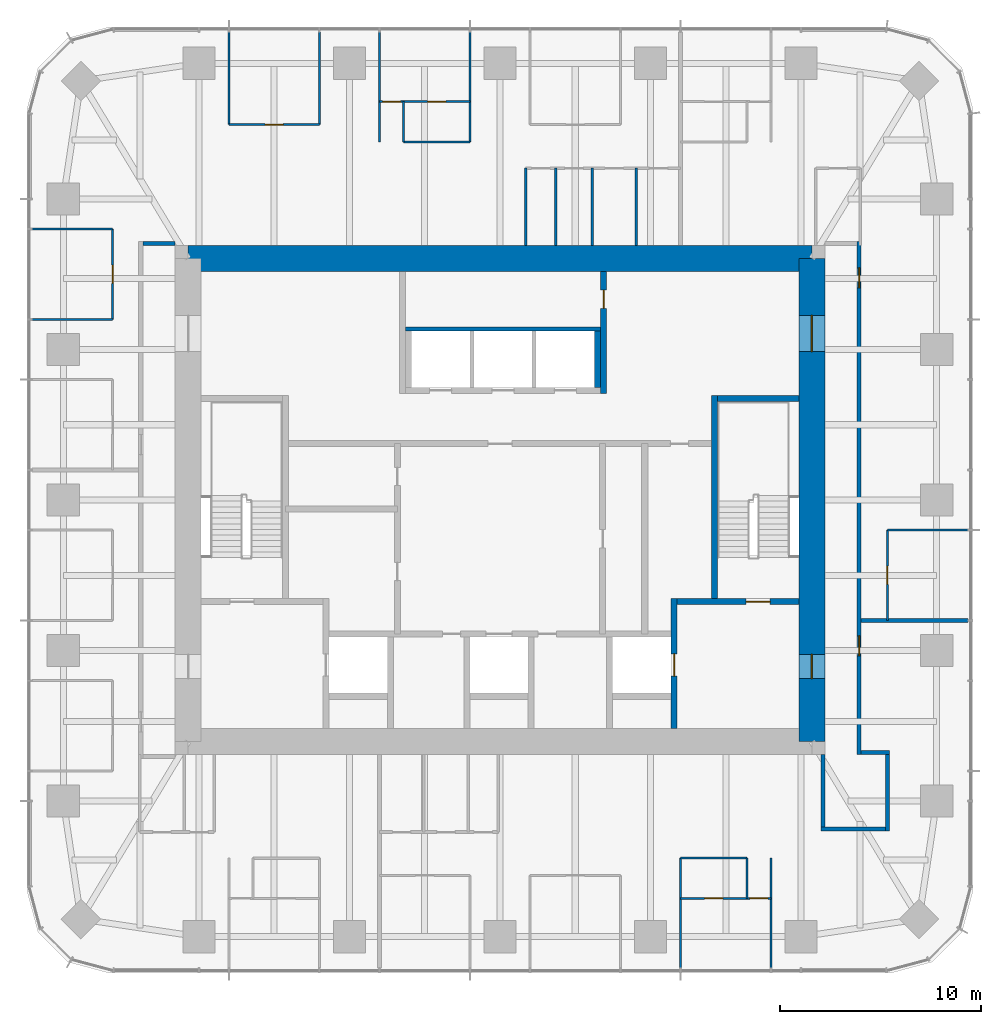
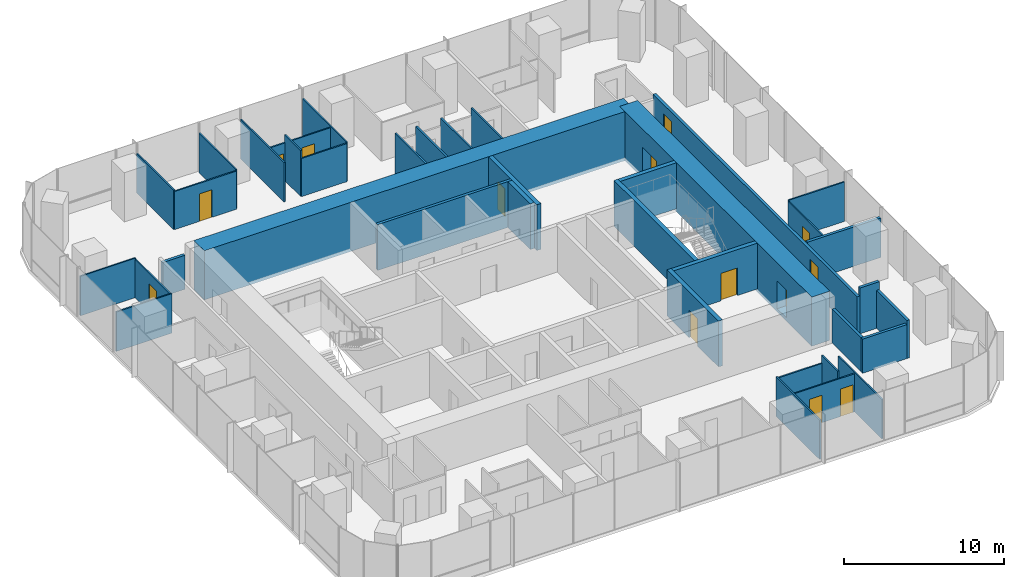
# One storey, part 10 of 12: 38 walls, 14 doors, 14 openings.
"""IFC4 building model written with IfcOpenShell, lengths in metres."""

from ifc_helpers import new_model, si_unit, direction, frame, frame_2d, origin, place, context, subcontext, project, spatial, rectangle, extrude, material, layer, layer_set, type_object, element, fill, save


model = new_model("IFC4")

# Units and contexts
model_context = context("Model", 3, precision=1e-05, world=origin(), true_north=direction((0.0, 1.0)))
body_context = subcontext(model_context, "Body", "Model", "MODEL_VIEW")
ifc_project = project(units=[si_unit("LENGTHUNIT", "METRE"), si_unit("AREAUNIT", "SQUARE_METRE"), si_unit("VOLUMEUNIT", "CUBIC_METRE"), si_unit("PLANEANGLEUNIT", "RADIAN"), si_unit("MASSUNIT", "GRAM", prefix="KILO")], contexts=[model_context])

# Site, building, storey
site_placement = place(None, origin())
site = spatial("IfcSite", under=ifc_project, at=site_placement, CompositionType="ELEMENT")
building_placement = place(site_placement, origin())
building = spatial("IfcBuilding", under=site, at=building_placement, Name="Khuree Lantern Residences", CompositionType="ELEMENT")
storey_placement = place(building_placement, frame((0.0, 0.0, 315.75)))
storey = spatial("IfcBuildingStorey", under=building, at=storey_placement, Name="L79", CompositionType="ELEMENT", Elevation=315.75)

# Walls
ifc_material_1 = material(Name="Moisture-resistant gypsum board on steel studs", Category="steel")
ifc_layer_1 = layer(ifc_material_1, 0.125)
ifc_layer_set_1 = layer_set([ifc_layer_1], Name="BATHROOM WALL BTW125")
wall_type_1 = type_object("IfcWallType", Name="BATHROOM WALL BTW125", PredefinedType="PARTITIONING", material=ifc_layer_set_1)
for number, where, z_axis, x_axis, name in (
    (1, (6.77587890625, 12.64990234375, 0.0), (0.0, 0.0, 1.0), (0.0, 1.0, 0.0), "L79 BATHROOM WALL 02"),
    (2, (4.575927734375, 12.64990234375, 0.0), (0.0, 0.0, 1.0), (0.0, 1.0, 0.0), "L79 BATHROOM WALL 02"),
    (3, (2.77587890625, 12.64990234375, 0.0), (0.0, 0.0, 1.0), (0.0, 1.0, 0.0), "L79 BATHROOM WALL 02"),
    (4, (1.27587890625, 12.64990234375, 0.0), (0.0, 0.0, 1.0), (0.0, 1.0, 0.0), "L79 BATHROOM WALL 02"),
):
    element("IfcWall", number, at=place(storey_placement, frame(where, z_axis=z_axis, x_axis=x_axis)), inside=storey, type_object=wall_type_1, Name=name, PredefinedType="PARTITIONING", context=body_context, shape_type="SweptSolid", body=[
        extrude(rectangle(XDim=3.846435546875, YDim=0.125, at=frame_2d((1.92333984375, 0.0))), origin(), (0.0, 0.0, 1.0), 3.5),
    ])

# Wall, opening, door
ifc_material_2 = material(Name="Dense concrete blockwork", Category="masonry")
ifc_layer_2 = layer(ifc_material_2, 0.300048828125)
ifc_layer_set_2 = layer_set([ifc_layer_2], Name="CORE PARTITION WALL CPW300 EI 120")
wall_type_2 = type_object("IfcWallType", Name="CORE PARTITION WALL CPW300 EI 120", PredefinedType="PARTITIONING", material=ifc_layer_set_2)
wall_1_placement = place(storey_placement, frame((8.64990234375, -11.35009765625, 0.0), z_axis=(0.0, 0.0, 1.0), x_axis=(0.0, 1.0, 0.0)))
wall_1 = element("IfcWall", 5, at=wall_1_placement, inside=storey, type_object=wall_type_2, Name="L79 CORE WALL FL2E", PredefinedType="PARTITIONING", context=body_context, shape_type="SweptSolid", body=[
    extrude(rectangle(XDim=6.4501953125, YDim=0.300048828125, at=frame_2d((3.22509765625, 0.0))), origin(), (0.0, 0.0, 1.0), 3.5),
])
opening_1_placement = place(wall_1_placement, frame((2.60009765625, 0.0, 0.0)))
opening_1 = element("IfcOpeningElement", 6, at=opening_1_placement, cuts=wall_1, Name="Opening 79-008", PredefinedType="OPENING", context=body_context, shape_type="SweptSolid", body=[
    extrude(rectangle(XDim=1.10009765625, YDim=2.10009765625, at=frame_2d((0.550048828125, 1.050048828125))), frame((0.0, 0.16015625, 0.0), z_axis=(0.0, -1.0, 0.0), x_axis=(1.0, 0.0, 0.0)), (0.0, 0.0, 1.0), 0.320068359375),
])
ifc_material_3 = material(Name="Stainless steel lift landing door", Category="steel")
door_type_1 = type_object("IfcDoorType", Name="LIFT LANDING DOOR 1100X2100 E 120", OperationType="DOUBLE_DOOR_SLIDING", PredefinedType="DOOR", material=ifc_material_3)
door_1_placement = place(opening_1_placement, origin())
door_1 = element("IfcDoor", 7, at=door_1_placement, inside=storey, type_object=door_type_1, Name="Landing door FL2 79-008", OperationType="DOUBLE_DOOR_SLIDING", OverallHeight=2.10009765625, OverallWidth=1.10009765625, PredefinedType="DOOR", context=body_context, shape_type="SweptSolid", body=[
    extrude(rectangle(XDim=1.10009765625, YDim=2.10009765625, at=frame_2d((0.550048828125, 1.050048828125))), frame((0.0, 0.02490234375, 0.0), z_axis=(0.0, -1.0, 0.0), x_axis=(1.0, 0.0, 0.0)), (0.0, 0.0, 1.0), 0.050048828125),
])
fill(opening_1, door_1)

# Wall
wall_2_placement = place(storey_placement, frame((4.85009765625, 5.60009765625, 0.0), z_axis=(0.0, 0.0, 1.0), x_axis=(0.0, 1.0, 0.0)))
element("IfcWall", 8, at=wall_2_placement, inside=storey, type_object=wall_type_2, Name="L79 CORE WALL PHE", PredefinedType="PARTITIONING", context=body_context, shape_type="SweptSolid", body=[
    extrude(rectangle(XDim=2.7998046875, YDim=0.300048828125, at=frame_2d((1.39990234375, 0.0))), origin(), (0.0, 0.0, 1.0), 3.5),
])

# Wall, opening, door
wall_3_placement = place(storey_placement, frame((5.14990234375, 5.300048828125, 0.0), z_axis=(0.0, 0.0, 1.0), x_axis=(0.0, 1.0, 0.0)))
wall_3 = element("IfcWall", 9, at=wall_3_placement, inside=storey, type_object=wall_type_2, Name="L79 CORE WALL NE", PredefinedType="PARTITIONING", context=body_context, shape_type="SweptSolid", body=[
    extrude(rectangle(XDim=6.050048828125, YDim=0.300048828125, at=frame_2d((3.02490234375, 0.0))), origin(), (0.0, 0.0, 1.0), 3.5),
])
opening_2_placement = place(wall_3_placement, frame((4.22509765625, 0.0, 0.0)))
opening_2 = element("IfcOpeningElement", 10, at=opening_2_placement, cuts=wall_3, Name="Opening 79-020", PredefinedType="OPENING", context=body_context, shape_type="SweptSolid", body=[
    extrude(rectangle(XDim=0.89990234375, YDim=2.10009765625, at=frame_2d((0.449951171875, 1.050048828125))), frame((0.0, 0.16015625, 0.0), z_axis=(0.0, -1.0, 0.0), x_axis=(1.0, 0.0, 0.0)), (0.0, 0.0, 1.0), 0.320068359375),
])
ifc_material_4 = material(Name="Timber door leaf in hardwood frame", Category="wood")
door_type_2 = type_object("IfcDoorType", Name="DOOR 900X2100", OperationType="SINGLE_SWING_LEFT", PredefinedType="DOOR", material=ifc_material_4)
door_2_placement = place(opening_2_placement, origin())
door_2 = element("IfcDoor", 11, at=door_2_placement, inside=storey, type_object=door_type_2, Name="Residents' store door 79-020", OperationType="SINGLE_SWING_LEFT", OverallHeight=2.10009765625, OverallWidth=0.89990234375, PredefinedType="DOOR", context=body_context, shape_type="SweptSolid", body=[
    extrude(rectangle(XDim=0.89990234375, YDim=2.10009765625, at=frame_2d((0.449951171875, 1.050048828125))), frame((0.0, 0.02490234375, 0.0), z_axis=(0.0, -1.0, 0.0), x_axis=(1.0, 0.0, 0.0)), (0.0, 0.0, 1.0), 0.050048828125),
])
fill(opening_2, door_2)

# Walls
ifc_material_5 = material(Name="Gypsum board on steel studs", Category="steel")
ifc_layer_3 = layer(ifc_material_5, 0.199951171875)
ifc_layer_set_3 = layer_set([ifc_layer_3], Name="CORRIDOR WALL CRW200 EI 60")
wall_type_3 = type_object("IfcWallType", Name="CORRIDOR WALL CRW200 EI 60", PredefinedType="PARTITIONING", material=ifc_layer_set_3)
wall_4_placement = place(storey_placement, frame((17.949951171875, -12.550048828125, 0.0), z_axis=(0.0, 0.0, 1.0), x_axis=(1.0, 0.0, 0.0)))
element("IfcWall", 12, at=wall_4_placement, inside=storey, type_object=wall_type_3, Name="L79 RESIDENTS LOUNGE WALL", PredefinedType="PARTITIONING", context=body_context, shape_type="SweptSolid", body=[
    extrude(rectangle(XDim=1.400146484375, YDim=0.199951171875, at=frame_2d((0.7001953125, 0.0))), origin(), (0.0, 0.0, 1.0), 3.5),
])
wall_5_placement = place(storey_placement, frame((19.25, -12.449951171875, 0.0), z_axis=(0.0, 0.0, 1.0), x_axis=(0.0, -1.0, 0.0)))
element("IfcWall", 13, at=wall_5_placement, inside=storey, type_object=wall_type_3, Name="L79 RESIDENTS LOUNGE WALL", PredefinedType="PARTITIONING", context=body_context, shape_type="SweptSolid", body=[
    extrude(rectangle(XDim=4.0, YDim=0.199951171875, at=frame_2d((2.0, 0.0))), origin(), (0.0, 0.0, 1.0), 2.89990234375),
])
wall_6_placement = place(storey_placement, frame((19.14990234375, -16.35009765625, 0.0), z_axis=(0.0, 0.0, 1.0), x_axis=(-1.0, 0.0, 0.0)))
element("IfcWall", 14, at=wall_6_placement, inside=storey, type_object=wall_type_3, Name="L79 RESIDENTS LOUNGE WALL", PredefinedType="PARTITIONING", context=body_context, shape_type="SweptSolid", body=[
    extrude(rectangle(XDim=3.199951171875, YDim=0.199951171875, at=frame_2d((1.60009765625, 0.0))), origin(), (0.0, 0.0, 1.0), 2.60009765625),
])
wall_7_placement = place(storey_placement, frame((16.050048828125, -16.449951171875, 0.0), z_axis=(0.0, 0.0, 1.0), x_axis=(0.0, 1.0, 0.0)))
element("IfcWall", 15, at=wall_7_placement, inside=storey, type_object=wall_type_3, Name="L79 RESIDENTS LOUNGE WALL", PredefinedType="PARTITIONING", context=body_context, shape_type="SweptSolid", body=[
    extrude(rectangle(XDim=3.800048828125, YDim=0.199951171875, at=frame_2d((1.89990234375, 0.0))), origin(), (0.0, 0.0, 1.0), 2.60009765625),
])
wall_8_placement = place(storey_placement, frame((-16.14990234375, 12.75, 0.0), z_axis=(0.0, 0.0, 1.0), x_axis=(-1.0, 0.0, 0.0)))
element("IfcWall", 16, at=wall_8_placement, inside=storey, type_object=wall_type_3, Name="L79 WEST CORRIDOR NORTH END WALL", PredefinedType="PARTITIONING", context=body_context, shape_type="SweptSolid", body=[
    extrude(rectangle(XDim=1.60009765625, YDim=0.199951171875, at=frame_2d((0.800048828125, 0.0))), origin(), (0.0, 0.0, 1.0), 2.60009765625),
])

# Wall, openings, doors
wall_9_placement = place(storey_placement, frame((17.85009765625, -12.64990234375, 0.0), z_axis=(0.0, 0.0, 1.0), x_axis=(0.0, 1.0, 0.0)))
wall_9 = element("IfcWall", 17, at=wall_9_placement, inside=storey, type_object=wall_type_3, Name="L79 CORRIDOR WALL EAST 1", PredefinedType="PARTITIONING", context=body_context, shape_type="SweptSolid", body=[
    extrude(rectangle(XDim=25.5, YDim=0.199951171875, at=frame_2d((12.75, 0.0))), origin(), (0.0, 0.0, 1.0), 2.89990234375),
])
opening_3_placement = place(wall_9_placement, frame((23.18603515625, 0.0, 0.0)))
opening_3 = element("IfcOpeningElement", 18, at=opening_3_placement, cuts=wall_9, Name="Opening 79-025", PredefinedType="OPENING", context=body_context, shape_type="SweptSolid", body=[
    extrude(rectangle(XDim=1.0, YDim=2.199951171875, at=frame_2d((0.5, 1.10009765625))), frame((0.0, 0.10986328125, 0.0), z_axis=(0.0, -1.0, 0.0), x_axis=(1.0, 0.0, 0.0)), (0.0, 0.0, 1.0), 0.219970703125),
])
opening_4_placement = place(wall_9_placement, frame((4.89990234375, 0.0, 0.0)))
opening_4 = element("IfcOpeningElement", 19, at=opening_4_placement, cuts=wall_9, Name="Opening 79-051", PredefinedType="OPENING", context=body_context, shape_type="SweptSolid", body=[
    extrude(rectangle(XDim=1.0, YDim=2.199951171875, at=frame_2d((0.5, 1.10009765625))), frame((0.0, 0.10986328125, 0.0), z_axis=(0.0, -1.0, 0.0), x_axis=(1.0, 0.0, 0.0)), (0.0, 0.0, 1.0), 0.219970703125),
])
door_type_3 = type_object("IfcDoorType", Name="APARTMENT ENTRANCE DOOR 1000X2200 EI 30S", OperationType="SINGLE_SWING_LEFT", PredefinedType="DOOR", material=ifc_material_4)
door_3_placement = place(opening_4_placement, origin())
door_3 = element("IfcDoor", 20, at=door_3_placement, inside=storey, type_object=door_type_3, Name="Apartment 04 entrance door 79-051", OperationType="SINGLE_SWING_LEFT", OverallHeight=2.199951171875, OverallWidth=1.0, PredefinedType="DOOR", context=body_context, shape_type="SweptSolid", body=[
    extrude(rectangle(XDim=1.0, YDim=2.199951171875, at=frame_2d((0.5, 1.10009765625))), frame((0.0, 0.02490234375, 0.0), z_axis=(0.0, -1.0, 0.0), x_axis=(1.0, 0.0, 0.0)), (0.0, 0.0, 1.0), 0.050048828125),
])
fill(opening_4, door_3)
door_type_4 = type_object("IfcDoorType", Name="APARTMENT ENTRANCE DOOR 1000X2200 EI 30S RIGHT HAND", OperationType="SINGLE_SWING_RIGHT", PredefinedType="DOOR", material=ifc_material_4)
door_4_placement = place(opening_3_placement, origin())
door_4 = element("IfcDoor", 21, at=door_4_placement, inside=storey, type_object=door_type_4, Name="Apartment 01 entrance door 79-025", OperationType="SINGLE_SWING_RIGHT", OverallHeight=2.199951171875, OverallWidth=1.0, PredefinedType="DOOR", context=body_context, shape_type="SweptSolid", body=[
    extrude(rectangle(XDim=1.0, YDim=2.199951171875, at=frame_2d((0.5, 1.10009765625))), frame((0.0, 0.02490234375, 0.0), z_axis=(0.0, -1.0, 0.0), x_axis=(1.0, 0.0, 0.0)), (0.0, 0.0, 1.0), 0.050048828125),
])
fill(opening_3, door_4)

ifc_material_6 = material(Name="Concrete C50/60", Category="concrete")
ifc_layer_4 = layer(ifc_material_6, 1.300048828125)
ifc_layer_set_4 = layer_set([ifc_layer_4], Name="CW1300-C50 CORE WALL C50 1300")
wall_type_4 = type_object("IfcWallType", Name="CW1300-C50 CORE WALL C50 1300", PredefinedType="SHEAR", material=ifc_layer_set_4)
wall_10_placement = place(storey_placement, frame((15.5, -12.0, -0.25), z_axis=(0.0, 0.0, 1.0), x_axis=(0.0, 1.0, 0.0)))
wall_10 = element("IfcWall", 22, at=wall_10_placement, inside=storey, type_object=wall_type_4, Name="Core wall E", PredefinedType="SHEAR", context=body_context, shape_type="SweptSolid", body=[
    extrude(rectangle(XDim=24.0, YDim=1.300048828125, at=frame_2d((12.0, 0.0))), origin(), (0.0, 0.0, 1.0), 3.75),
])
opening_5_placement = place(wall_10_placement, frame((3.125, 0.0, 0.25)))
opening_5 = element("IfcOpeningElement", 23, at=opening_5_placement, cuts=wall_10, Name="Opening 79-005", PredefinedType="OPENING", context=body_context, shape_type="SweptSolid", body=[
    extrude(rectangle(XDim=1.199951171875, YDim=2.10009765625, at=frame_2d((0.60009765625, 1.050048828125))), frame((0.0, 0.66015625, 0.0), z_axis=(0.0, -1.0, 0.0), x_axis=(1.0, 0.0, 0.0)), (0.0, 0.0, 1.0), 1.320068359375),
])
opening_6_placement = place(wall_10_placement, frame((19.375, 0.0, 0.25)))
opening_6 = element("IfcOpeningElement", 24, at=opening_6_placement, cuts=wall_10, Name="Opening 79-006", PredefinedType="OPENING", context=body_context, shape_type="SweptSolid", body=[
    extrude(rectangle(XDim=1.800048828125, YDim=2.10009765625, at=frame_2d((0.89990234375, 1.050048828125))), frame((0.0, 0.66015625, 0.0), z_axis=(0.0, -1.0, 0.0), x_axis=(1.0, 0.0, 0.0)), (0.0, 0.0, 1.0), 1.320068359375),
])
ifc_material_7 = material(Name="Steel door leaf in steel frame", Category="steel")
door_type_5 = type_object("IfcDoorType", Name="LOBBY DOOR 1200X2100 EI 120", OperationType="SINGLE_SWING_LEFT", PredefinedType="DOOR", material=ifc_material_7)
door_5_placement = place(opening_5_placement, origin())
door_5 = element("IfcDoor", 25, at=door_5_placement, inside=storey, type_object=door_type_5, Name="Firefighting lobby door 79-005", OperationType="SINGLE_SWING_LEFT", OverallHeight=2.10009765625, OverallWidth=1.199951171875, PredefinedType="DOOR", context=body_context, shape_type="SweptSolid", body=[
    extrude(rectangle(XDim=1.199951171875, YDim=2.10009765625, at=frame_2d((0.60009765625, 1.050048828125))), frame((0.0, 0.02490234375, 0.0), z_axis=(0.0, -1.0, 0.0), x_axis=(1.0, 0.0, 0.0)), (0.0, 0.0, 1.0), 0.050048828125),
])
fill(opening_5, door_5)
door_type_6 = type_object("IfcDoorType", Name="LOBBY DOUBLE DOOR 1800X2100 EI 60", OperationType="DOUBLE_DOOR_SINGLE_SWING", PredefinedType="DOOR", material=ifc_material_7)
door_6_placement = place(opening_6_placement, origin())
door_6 = element("IfcDoor", 26, at=door_6_placement, inside=storey, type_object=door_type_6, Name="Lift lobby door 79-006", OperationType="DOUBLE_DOOR_SINGLE_SWING", OverallHeight=2.10009765625, OverallWidth=1.800048828125, PredefinedType="DOOR", context=body_context, shape_type="SweptSolid", body=[
    extrude(rectangle(XDim=1.800048828125, YDim=2.10009765625, at=frame_2d((0.89990234375, 1.050048828125))), frame((0.0, 0.02490234375, 0.0), z_axis=(0.0, -1.0, 0.0), x_axis=(1.0, 0.0, 0.0)), (0.0, 0.0, 1.0), 0.050048828125),
])
fill(opening_6, door_6)

# Walls
wall_11_placement = place(storey_placement, frame((-15.5, 12.0, -0.25), z_axis=(0.0, 0.0, 1.0), x_axis=(1.0, 0.0, 0.0)))
element("IfcWall", 27, at=wall_11_placement, inside=storey, type_object=wall_type_4, Name="Core wall N", PredefinedType="SHEAR", context=body_context, shape_type="SweptSolid", body=[
    extrude(rectangle(XDim=31.0, YDim=1.300048828125, at=frame_2d((15.5, 0.0))), origin(), (0.0, 0.0, 1.0), 3.75),
])
ifc_layer_5 = layer(ifc_material_5, 0.199951171875)
ifc_layer_set_5 = layer_set([ifc_layer_5], Name="DEMISING WALL DMW200 EI 90")
wall_type_5 = type_object("IfcWallType", Name="DEMISING WALL DMW200 EI 90", PredefinedType="PARTITIONING", material=ifc_layer_set_5)
wall_12_placement = place(storey_placement, frame((17.949951171875, -5.98388671875, 0.0), z_axis=(0.0, 0.0, 1.0), x_axis=(1.0, 0.0, 0.0)))
element("IfcWall", 28, at=wall_12_placement, inside=storey, type_object=wall_type_5, Name="L79 DEMISING WALL 01", PredefinedType="PARTITIONING", context=body_context, shape_type="SweptSolid", body=[
    extrude(rectangle(XDim=5.300048828125, YDim=0.199951171875, at=frame_2d((2.64990234375, 0.0))), origin(), (0.0, 0.0, 1.0), 3.010009765625),
])
ifc_layer_6 = layer(ifc_material_5, 0.10009765625)
ifc_layer_set_6 = layer_set([ifc_layer_6], Name="PARTITION PT100")
wall_type_6 = type_object("IfcWallType", Name="PARTITION PT100", PredefinedType="PARTITIONING", material=ifc_layer_set_6)
wall_13_placement = place(storey_placement, frame((19.25, -1.49609375, 0.0), z_axis=(0.0, 0.0, 1.0), x_axis=(1.0, 0.0, 0.0)))
element("IfcWall", 29, at=wall_13_placement, inside=storey, type_object=wall_type_6, Name="L79 PARTITION 01", PredefinedType="PARTITIONING", context=body_context, shape_type="SweptSolid", body=[
    extrude(rectangle(XDim=4.0, YDim=0.10009765625, at=frame_2d((2.0, 0.0))), origin(), (0.0, 0.0, 1.0), 3.010009765625),
])
for number, where, z_axis, x_axis, name in (
    (30, (-1.49609375, 17.79638671875, 0.0), (0.0, 0.0, 1.0), (0.0, 1.0, 0.0), "L79 PARTITION 02"),
    (31, (-5.98388671875, 17.79638671875, 0.0), (0.0, 0.0, 1.0), (0.0, 1.0, 0.0), "L79 PARTITION 02"),
):
    element("IfcWall", number, at=place(storey_placement, frame(where, z_axis=z_axis, x_axis=x_axis)), inside=storey, type_object=wall_type_6, Name=name, PredefinedType="PARTITIONING", context=body_context, shape_type="SweptSolid", body=[
        extrude(rectangle(XDim=5.45361328125, YDim=0.10009765625, at=frame_2d((2.726806640625, 0.0))), origin(), (0.0, 0.0, 1.0), 3.010009765625),
    ])
for number, where, z_axis, x_axis, name in (
    (32, (-8.97607421875, 18.64990234375, 0.0), (0.0, 0.0, 1.0), (0.0, 1.0, 0.0), "L79 PARTITION 02"),
    (33, (-13.464111328125, 18.64990234375, 0.0), (0.0, 0.0, 1.0), (0.0, 1.0, 0.0), "L79 PARTITION 02"),
):
    element("IfcWall", number, at=place(storey_placement, frame(where, z_axis=z_axis, x_axis=x_axis)), inside=storey, type_object=wall_type_6, Name=name, PredefinedType="PARTITIONING", context=body_context, shape_type="SweptSolid", body=[
        extrude(rectangle(XDim=4.60009765625, YDim=0.10009765625, at=frame_2d((2.300048828125, 0.0))), origin(), (0.0, 0.0, 1.0), 3.010009765625),
    ])
for number, where, z_axis, x_axis, name in (
    (34, (-19.25, 13.464111328125, 0.0), (0.0, 0.0, 1.0), (-1.0, 0.0, 0.0), "L79 PARTITION 02"),
    (35, (-19.25, 8.97607421875, 0.0), (0.0, 0.0, 1.0), (-1.0, 0.0, 0.0), "L79 PARTITION 02"),
):
    element("IfcWall", number, at=place(storey_placement, frame(where, z_axis=z_axis, x_axis=x_axis)), inside=storey, type_object=wall_type_6, Name=name, PredefinedType="PARTITIONING", context=body_context, shape_type="SweptSolid", body=[
        extrude(rectangle(XDim=4.0, YDim=0.10009765625, at=frame_2d((2.0, 0.0))), origin(), (0.0, 0.0, 1.0), 3.010009765625),
    ])
for number, where, z_axis, x_axis, name in (
    (36, (8.97607421875, -17.79638671875, 0.0), (0.0, 0.0, 1.0), (0.0, -1.0, 0.0), "L79 PARTITION 04"),
    (37, (13.464111328125, -17.79638671875, 0.0), (0.0, 0.0, 1.0), (0.0, -1.0, 0.0), "L79 PARTITION 04"),
):
    element("IfcWall", number, at=place(storey_placement, frame(where, z_axis=z_axis, x_axis=x_axis)), inside=storey, type_object=wall_type_6, Name=name, PredefinedType="PARTITIONING", context=body_context, shape_type="SweptSolid", body=[
        extrude(rectangle(XDim=5.45361328125, YDim=0.10009765625, at=frame_2d((2.726806640625, 0.0))), origin(), (0.0, 0.0, 1.0), 3.010009765625),
    ])

# Wall, opening, door
wall_14_placement = place(storey_placement, frame((19.25, -5.98388671875, 0.0), z_axis=(0.0, 0.0, 1.0), x_axis=(0.0, 1.0, 0.0)))
wall_14 = element("IfcWall", 38, at=wall_14_placement, inside=storey, type_object=wall_type_6, Name="L79 PARTITION 01", PredefinedType="PARTITIONING", context=body_context, shape_type="SweptSolid", body=[
    extrude(rectangle(XDim=4.48779296875, YDim=0.10009765625, at=frame_2d((2.243896484375, 0.0))), origin(), (0.0, 0.0, 1.0), 2.909912109375),
])
opening_7_placement = place(wall_14_placement, frame((1.7939453125, 0.0, 0.0)))
opening_7 = element("IfcOpeningElement", 39, at=opening_7_placement, cuts=wall_14, Name="Opening 79-021", PredefinedType="OPENING", context=body_context, shape_type="SweptSolid", body=[
    extrude(rectangle(XDim=0.89990234375, YDim=2.10009765625, at=frame_2d((0.449951171875, 1.050048828125))), frame((0.0, 0.06005859375, 0.0), z_axis=(0.0, -1.0, 0.0), x_axis=(1.0, 0.0, 0.0)), (0.0, 0.0, 1.0), 0.1201171875),
])
door_type_7 = type_object("IfcDoorType", Name="BEDROOM DOOR 900X2100", OperationType="SINGLE_SWING_LEFT", PredefinedType="DOOR", material=ifc_material_4)
door_7_placement = place(opening_7_placement, origin())
door_7 = element("IfcDoor", 40, at=door_7_placement, inside=storey, type_object=door_type_7, Name="Bedroom door 79-021", OperationType="SINGLE_SWING_LEFT", OverallHeight=2.10009765625, OverallWidth=0.89990234375, PredefinedType="DOOR", context=body_context, shape_type="SweptSolid", body=[
    extrude(rectangle(XDim=0.89990234375, YDim=2.10009765625, at=frame_2d((0.449951171875, 1.050048828125))), frame((0.0, 0.02490234375, 0.0), z_axis=(0.0, -1.0, 0.0), x_axis=(1.0, 0.0, 0.0)), (0.0, 0.0, 1.0), 0.050048828125),
])
fill(opening_7, door_7)

# Wall, openings, doors
wall_15_placement = place(storey_placement, frame((-1.49609375, 19.79638671875, 0.0), z_axis=(0.0, 0.0, 1.0), x_axis=(-1.0, 0.0, 0.0)))
wall_15 = element("IfcWall", 41, at=wall_15_placement, inside=storey, type_object=wall_type_6, Name="L79 PARTITION 02", PredefinedType="PARTITIONING", context=body_context, shape_type="SweptSolid", body=[
    extrude(rectangle(XDim=4.48779296875, YDim=0.10009765625, at=frame_2d((2.243896484375, 0.0))), origin(), (0.0, 0.0, 1.0), 2.909912109375),
])
opening_8_placement = place(wall_15_placement, frame((3.43798828125, 0.0, 0.0)))
opening_8 = element("IfcOpeningElement", 42, at=opening_8_placement, cuts=wall_15, Name="Opening 79-027", PredefinedType="OPENING", context=body_context, shape_type="SweptSolid", body=[
    extrude(rectangle(XDim=0.89990234375, YDim=2.10009765625, at=frame_2d((0.449951171875, 1.050048828125))), frame((0.0, 0.06005859375, 0.0), z_axis=(0.0, -1.0, 0.0), x_axis=(1.0, 0.0, 0.0)), (0.0, 0.0, 1.0), 0.1201171875),
])
opening_9_placement = place(wall_15_placement, frame((1.194091796875, 0.0, 0.0)))
opening_9 = element("IfcOpeningElement", 43, at=opening_9_placement, cuts=wall_15, Name="Opening 79-028", PredefinedType="OPENING", context=body_context, shape_type="SweptSolid", body=[
    extrude(rectangle(XDim=0.89990234375, YDim=2.10009765625, at=frame_2d((0.449951171875, 1.050048828125))), frame((0.0, 0.06005859375, 0.0), z_axis=(0.0, -1.0, 0.0), x_axis=(1.0, 0.0, 0.0)), (0.0, 0.0, 1.0), 0.1201171875),
])
door_8_placement = place(opening_8_placement, origin())
door_8 = element("IfcDoor", 44, at=door_8_placement, inside=storey, type_object=door_type_7, Name="Bedroom door 79-027", OperationType="SINGLE_SWING_LEFT", OverallHeight=2.10009765625, OverallWidth=0.89990234375, PredefinedType="DOOR", context=body_context, shape_type="SweptSolid", body=[
    extrude(rectangle(XDim=0.89990234375, YDim=2.10009765625, at=frame_2d((0.449951171875, 1.050048828125))), frame((0.0, 0.02490234375, 0.0), z_axis=(0.0, -1.0, 0.0), x_axis=(1.0, 0.0, 0.0)), (0.0, 0.0, 1.0), 0.050048828125),
])
fill(opening_8, door_8)
door_9_placement = place(opening_9_placement, origin())
door_9 = element("IfcDoor", 45, at=door_9_placement, inside=storey, type_object=door_type_2, Name="Wardrobe door 79-028", OperationType="SINGLE_SWING_LEFT", OverallHeight=2.10009765625, OverallWidth=0.89990234375, PredefinedType="DOOR", context=body_context, shape_type="SweptSolid", body=[
    extrude(rectangle(XDim=0.89990234375, YDim=2.10009765625, at=frame_2d((0.449951171875, 1.050048828125))), frame((0.0, 0.02490234375, 0.0), z_axis=(0.0, -1.0, 0.0), x_axis=(1.0, 0.0, 0.0)), (0.0, 0.0, 1.0), 0.050048828125),
])
fill(opening_9, door_9)

# Walls
wall_16_placement = place(storey_placement, frame((-4.783935546875, 17.79638671875, 0.0), z_axis=(0.0, 0.0, 1.0), x_axis=(0.0, 1.0, 0.0)))
element("IfcWall", 46, at=wall_16_placement, inside=storey, type_object=wall_type_6, Name="L79 PARTITION 02", PredefinedType="PARTITIONING", context=body_context, shape_type="SweptSolid", body=[
    extrude(rectangle(XDim=2.0, YDim=0.10009765625, at=frame_2d((1.0, 0.0))), origin(), (0.0, 0.0, 1.0), 3.5),
])
wall_17_placement = place(storey_placement, frame((-1.49609375, 17.79638671875, 0.0), z_axis=(0.0, 0.0, 1.0), x_axis=(-1.0, 0.0, 0.0)))
element("IfcWall", 47, at=wall_17_placement, inside=storey, type_object=wall_type_6, Name="L79 PARTITION 02", PredefinedType="PARTITIONING", context=body_context, shape_type="SweptSolid", body=[
    extrude(rectangle(XDim=3.287841796875, YDim=0.10009765625, at=frame_2d((1.64404296875, 0.0))), origin(), (0.0, 0.0, 1.0), 2.909912109375),
])

# Wall, opening, door
wall_18_placement = place(storey_placement, frame((-8.97607421875, 18.64990234375, 0.0), z_axis=(0.0, 0.0, 1.0), x_axis=(-1.0, 0.0, 0.0)))
wall_18 = element("IfcWall", 48, at=wall_18_placement, inside=storey, type_object=wall_type_6, Name="L79 PARTITION 02", PredefinedType="PARTITIONING", context=body_context, shape_type="SweptSolid", body=[
    extrude(rectangle(XDim=4.488037109375, YDim=0.10009765625, at=frame_2d((2.244140625, 0.0))), origin(), (0.0, 0.0, 1.0), 2.909912109375),
])
opening_10_placement = place(wall_18_placement, frame((1.7939453125, 0.0, 0.0)))
opening_10 = element("IfcOpeningElement", 49, at=opening_10_placement, cuts=wall_18, Name="Opening 79-029", PredefinedType="OPENING", context=body_context, shape_type="SweptSolid", body=[
    extrude(rectangle(XDim=0.89990234375, YDim=2.10009765625, at=frame_2d((0.449951171875, 1.050048828125))), frame((0.0, 0.06005859375, 0.0), z_axis=(0.0, -1.0, 0.0), x_axis=(1.0, 0.0, 0.0)), (0.0, 0.0, 1.0), 0.1201171875),
])
door_10_placement = place(opening_10_placement, origin())
door_10 = element("IfcDoor", 50, at=door_10_placement, inside=storey, type_object=door_type_7, Name="Bedroom door 79-029", OperationType="SINGLE_SWING_LEFT", OverallHeight=2.10009765625, OverallWidth=0.89990234375, PredefinedType="DOOR", context=body_context, shape_type="SweptSolid", body=[
    extrude(rectangle(XDim=0.89990234375, YDim=2.10009765625, at=frame_2d((0.449951171875, 1.050048828125))), frame((0.0, 0.02490234375, 0.0), z_axis=(0.0, -1.0, 0.0), x_axis=(1.0, 0.0, 0.0)), (0.0, 0.0, 1.0), 0.050048828125),
])
fill(opening_10, door_10)

wall_19_placement = place(storey_placement, frame((-19.25, 13.464111328125, 0.0), z_axis=(0.0, 0.0, 1.0), x_axis=(0.0, -1.0, 0.0)))
wall_19 = element("IfcWall", 51, at=wall_19_placement, inside=storey, type_object=wall_type_6, Name="L79 PARTITION 02", PredefinedType="PARTITIONING", context=body_context, shape_type="SweptSolid", body=[
    extrude(rectangle(XDim=4.488037109375, YDim=0.10009765625, at=frame_2d((2.244140625, 0.0))), origin(), (0.0, 0.0, 1.0), 2.909912109375),
])
opening_11_placement = place(wall_19_placement, frame((1.7939453125, 0.0, 0.0)))
opening_11 = element("IfcOpeningElement", 52, at=opening_11_placement, cuts=wall_19, Name="Opening 79-030", PredefinedType="OPENING", context=body_context, shape_type="SweptSolid", body=[
    extrude(rectangle(XDim=0.89990234375, YDim=2.10009765625, at=frame_2d((0.449951171875, 1.050048828125))), frame((0.0, 0.06005859375, 0.0), z_axis=(0.0, -1.0, 0.0), x_axis=(1.0, 0.0, 0.0)), (0.0, 0.0, 1.0), 0.1201171875),
])
door_11_placement = place(opening_11_placement, origin())
door_11 = element("IfcDoor", 53, at=door_11_placement, inside=storey, type_object=door_type_7, Name="Bedroom door 79-030", OperationType="SINGLE_SWING_LEFT", OverallHeight=2.10009765625, OverallWidth=0.89990234375, PredefinedType="DOOR", context=body_context, shape_type="SweptSolid", body=[
    extrude(rectangle(XDim=0.89990234375, YDim=2.10009765625, at=frame_2d((0.449951171875, 1.050048828125))), frame((0.0, 0.02490234375, 0.0), z_axis=(0.0, -1.0, 0.0), x_axis=(1.0, 0.0, 0.0)), (0.0, 0.0, 1.0), 0.050048828125),
])
fill(opening_11, door_11)

# Wall, openings, doors
wall_20_placement = place(storey_placement, frame((8.97607421875, -19.79638671875, 0.0), z_axis=(0.0, 0.0, 1.0), x_axis=(1.0, 0.0, 0.0)))
wall_20 = element("IfcWall", 54, at=wall_20_placement, inside=storey, type_object=wall_type_6, Name="L79 PARTITION 04", PredefinedType="PARTITIONING", context=body_context, shape_type="SweptSolid", body=[
    extrude(rectangle(XDim=4.488037109375, YDim=0.10009765625, at=frame_2d((2.244140625, 0.0))), origin(), (0.0, 0.0, 1.0), 2.909912109375),
])
opening_12_placement = place(wall_20_placement, frame((3.43798828125, 0.0, 0.0)))
opening_12 = element("IfcOpeningElement", 55, at=opening_12_placement, cuts=wall_20, Name="Opening 79-046", PredefinedType="OPENING", context=body_context, shape_type="SweptSolid", body=[
    extrude(rectangle(XDim=0.89990234375, YDim=2.10009765625, at=frame_2d((0.449951171875, 1.050048828125))), frame((0.0, 0.06005859375, 0.0), z_axis=(0.0, -1.0, 0.0), x_axis=(1.0, 0.0, 0.0)), (0.0, 0.0, 1.0), 0.1201171875),
])
opening_13_placement = place(wall_20_placement, frame((1.194091796875, 0.0, 0.0)))
opening_13 = element("IfcOpeningElement", 56, at=opening_13_placement, cuts=wall_20, Name="Opening 79-047", PredefinedType="OPENING", context=body_context, shape_type="SweptSolid", body=[
    extrude(rectangle(XDim=0.89990234375, YDim=2.10009765625, at=frame_2d((0.449951171875, 1.050048828125))), frame((0.0, 0.06005859375, 0.0), z_axis=(0.0, -1.0, 0.0), x_axis=(1.0, 0.0, 0.0)), (0.0, 0.0, 1.0), 0.1201171875),
])
door_12_placement = place(opening_12_placement, origin())
door_12 = element("IfcDoor", 57, at=door_12_placement, inside=storey, type_object=door_type_7, Name="Bedroom door 79-046", OperationType="SINGLE_SWING_LEFT", OverallHeight=2.10009765625, OverallWidth=0.89990234375, PredefinedType="DOOR", context=body_context, shape_type="SweptSolid", body=[
    extrude(rectangle(XDim=0.89990234375, YDim=2.10009765625, at=frame_2d((0.449951171875, 1.050048828125))), frame((0.0, 0.02490234375, 0.0), z_axis=(0.0, -1.0, 0.0), x_axis=(1.0, 0.0, 0.0)), (0.0, 0.0, 1.0), 0.050048828125),
])
fill(opening_12, door_12)
door_13_placement = place(opening_13_placement, origin())
door_13 = element("IfcDoor", 58, at=door_13_placement, inside=storey, type_object=door_type_2, Name="Wardrobe door 79-047", OperationType="SINGLE_SWING_LEFT", OverallHeight=2.10009765625, OverallWidth=0.89990234375, PredefinedType="DOOR", context=body_context, shape_type="SweptSolid", body=[
    extrude(rectangle(XDim=0.89990234375, YDim=2.10009765625, at=frame_2d((0.449951171875, 1.050048828125))), frame((0.0, 0.02490234375, 0.0), z_axis=(0.0, -1.0, 0.0), x_axis=(1.0, 0.0, 0.0)), (0.0, 0.0, 1.0), 0.050048828125),
])
fill(opening_13, door_13)

# Walls
wall_21_placement = place(storey_placement, frame((12.263916015625, -17.79638671875, 0.0), z_axis=(0.0, 0.0, 1.0), x_axis=(0.0, -1.0, 0.0)))
element("IfcWall", 59, at=wall_21_placement, inside=storey, type_object=wall_type_6, Name="L79 PARTITION 04", PredefinedType="PARTITIONING", context=body_context, shape_type="SweptSolid", body=[
    extrude(rectangle(XDim=2.0, YDim=0.10009765625, at=frame_2d((1.0, 0.0))), origin(), (0.0, 0.0, 1.0), 3.5),
])
wall_22_placement = place(storey_placement, frame((8.97607421875, -17.79638671875, 0.0), z_axis=(0.0, 0.0, 1.0), x_axis=(1.0, 0.0, 0.0)))
element("IfcWall", 60, at=wall_22_placement, inside=storey, type_object=wall_type_6, Name="L79 PARTITION 04", PredefinedType="PARTITIONING", context=body_context, shape_type="SweptSolid", body=[
    extrude(rectangle(XDim=3.287841796875, YDim=0.10009765625, at=frame_2d((1.64404296875, 0.0))), origin(), (0.0, 0.0, 1.0), 2.909912109375),
])
ifc_layer_7 = layer(ifc_material_2, 0.199951171875)
ifc_layer_set_7 = layer_set([ifc_layer_7], Name="SHAFT WALL SHW200 EI 120")
wall_type_7 = type_object("IfcWallType", Name="SHAFT WALL SHW200 EI 120", PredefinedType="PARTITIONING", material=ifc_layer_set_7)
wall_23_placement = place(storey_placement, frame((-4.699951171875, 8.5, 0.0), z_axis=(0.0, 0.0, 1.0), x_axis=(1.0, 0.0, 0.0)))
element("IfcWall", 61, at=wall_23_placement, inside=storey, type_object=wall_type_7, Name="L79 CORE WALL PHN", PredefinedType="PARTITIONING", context=body_context, shape_type="SweptSolid", body=[
    extrude(rectangle(XDim=9.699951171875, YDim=0.199951171875, at=frame_2d((4.85009765625, 0.0))), origin(), (0.0, 0.0, 1.0), 3.5),
])
ifc_layer_8 = layer(ifc_material_6, 0.300048828125)
ifc_layer_set_8 = layer_set([ifc_layer_8], Name="STAIR WALL SRW300 C50/60 REI 240")
wall_type_8 = type_object("IfcWallType", Name="STAIR WALL SRW300 C50/60 REI 240", PredefinedType="SOLIDWALL", material=ifc_layer_set_8)
wall_24_placement = place(storey_placement, frame((10.64990234375, -4.89990234375, 0.0), z_axis=(0.0, 0.0, 1.0), x_axis=(0.0, 1.0, 0.0)))
element("IfcWall", 62, at=wall_24_placement, inside=storey, type_object=wall_type_8, Name="L79 STAIR WALL ST2E", PredefinedType="SOLIDWALL", context=body_context, shape_type="SweptSolid", body=[
    extrude(rectangle(XDim=10.099853515625, YDim=0.300048828125, at=frame_2d((5.0498046875, 0.0))), origin(), (0.0, 0.0, 1.0), 3.5),
])

# Wall, opening, door
wall_25_placement = place(storey_placement, frame((14.85009765625, -5.050048828125, 0.0), z_axis=(0.0, 0.0, 1.0), x_axis=(-1.0, 0.0, 0.0)))
wall_25 = element("IfcWall", 63, at=wall_25_placement, inside=storey, type_object=wall_type_8, Name="L79 STAIR WALL ST2S", PredefinedType="SOLIDWALL", context=body_context, shape_type="SweptSolid", body=[
    extrude(rectangle(XDim=6.050048828125, YDim=0.300048828125, at=frame_2d((3.02490234375, 0.0))), origin(), (0.0, 0.0, 1.0), 3.5),
])
opening_14_placement = place(wall_25_placement, frame((1.425048828125, 0.0, 0.0)))
opening_14 = element("IfcOpeningElement", 64, at=opening_14_placement, cuts=wall_25, Name="Opening 79-004", PredefinedType="OPENING", context=body_context, shape_type="SweptSolid", body=[
    extrude(rectangle(XDim=1.199951171875, YDim=2.10009765625, at=frame_2d((0.60009765625, 1.050048828125))), frame((0.0, 0.16015625, 0.0), z_axis=(0.0, -1.0, 0.0), x_axis=(1.0, 0.0, 0.0)), (0.0, 0.0, 1.0), 0.320068359375),
])
door_type_8 = type_object("IfcDoorType", Name="STAIR DOOR 1200X2100 EI 120", OperationType="SINGLE_SWING_LEFT", PredefinedType="DOOR", material=ifc_material_7)
door_14_placement = place(opening_14_placement, origin())
door_14 = element("IfcDoor", 65, at=door_14_placement, inside=storey, type_object=door_type_8, Name="Stair ST2 door 79-004", OperationType="SINGLE_SWING_LEFT", OverallHeight=2.10009765625, OverallWidth=1.199951171875, PredefinedType="DOOR", context=body_context, shape_type="SweptSolid", body=[
    extrude(rectangle(XDim=1.199951171875, YDim=2.10009765625, at=frame_2d((0.60009765625, 1.050048828125))), frame((0.0, 0.02490234375, 0.0), z_axis=(0.0, -1.0, 0.0), x_axis=(1.0, 0.0, 0.0)), (0.0, 0.0, 1.0), 0.050048828125),
])
fill(opening_14, door_14)

# Wall
wall_26_placement = place(storey_placement, frame((14.85009765625, 5.050048828125, 0.0), z_axis=(0.0, 0.0, 1.0), x_axis=(-1.0, 0.0, 0.0)))
element("IfcWall", 66, at=wall_26_placement, inside=storey, type_object=wall_type_8, Name="L79 STAIR WALL ST2N", PredefinedType="SOLIDWALL", context=body_context, shape_type="SweptSolid", body=[
    extrude(rectangle(XDim=4.050048828125, YDim=0.300048828125, at=frame_2d((2.02490234375, 0.0))), origin(), (0.0, 0.0, 1.0), 3.5),
])

save(model, "model.ifc")
